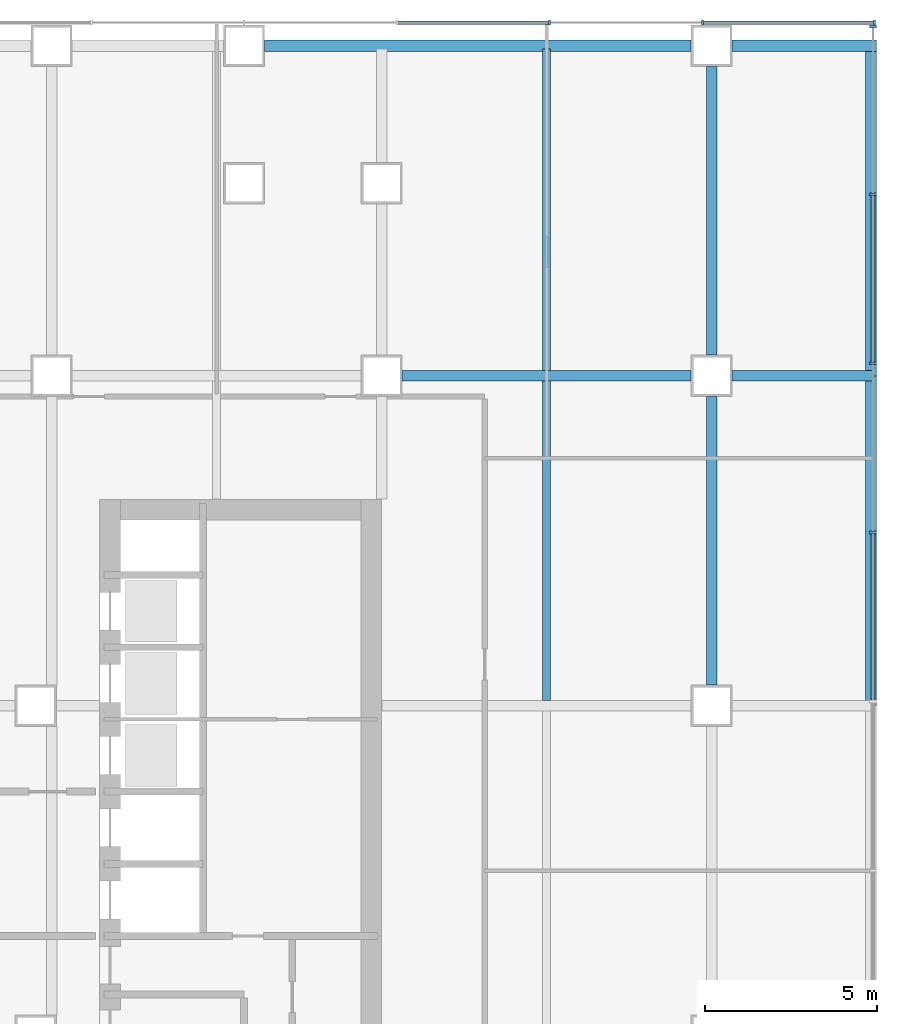
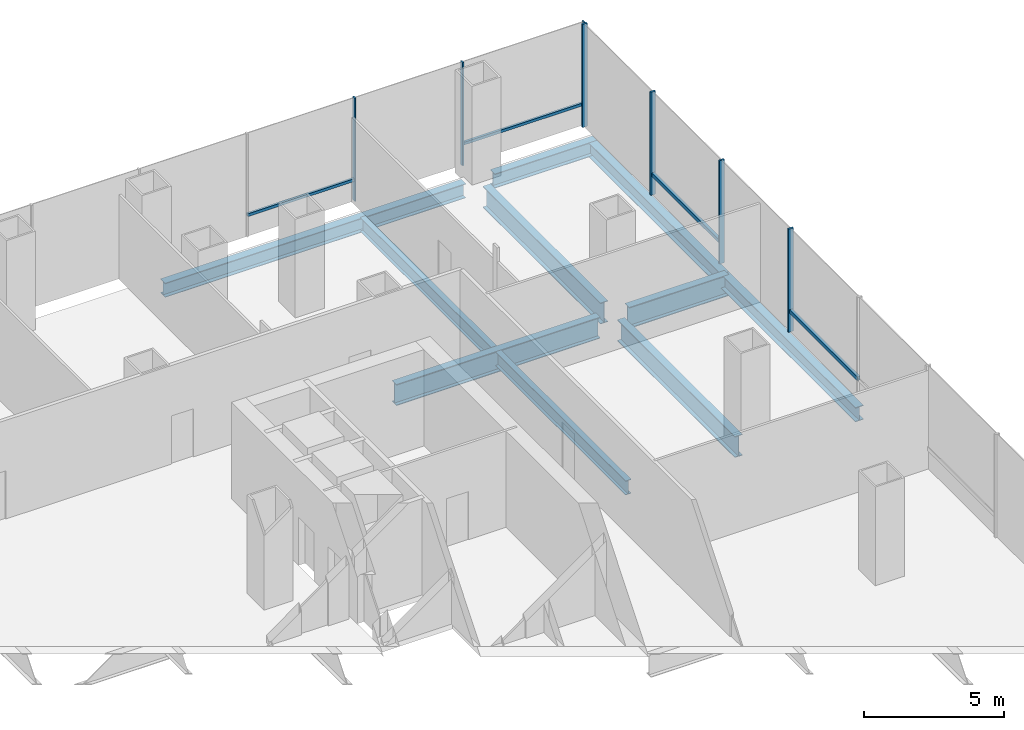
# One storey, part 13 of 23: 11 members, 10 beams, 2 elements without a shape of their own.
"""IFC4 building model written with IfcOpenShell, lengths in metres."""

import ifcopenshell
import ifcopenshell.guid

model = None  # the IFC model being written
_history = None  # IfcOwnerHistory: only IFC2X3 demands one
_inside = {}  # id of a spatial element -> (the spatial element, [elements in it])
_under = {}  # id of a project, library or spatial element -> (it, [spatial elements below it])
_declared = {}  # id of a project -> (the project, [libraries it declares])
_typed = {}  # id of a type object -> (the type object, [elements of that type])
_made_of = {}  # id of a material, layer set ... -> (it, [elements and type objects made of it])


def new_model(schema):
    """Start an empty IFC model of exactly this schema.

    Asked for "IFC4X3", IfcOpenShell would pick the latest addendum, in which some entities
    have other attributes; the version numbers below select the first issue.
    IFC2X3 requires an IfcOwnerHistory on every rooted entity: one is made here for all.
    """
    global model, _history
    if schema == "IFC4X3":
        model = ifcopenshell.file(schema_version=(4, 3, 0, 0))
    else:
        model = ifcopenshell.file(schema=schema)
    _inside.clear()
    _under.clear()
    _declared.clear()
    _typed.clear()
    _made_of.clear()
    _history = None
    if model.schema == "IFC2X3":
        org = make("IfcOrganization", Name="unknown")
        user = make(
            "IfcPersonAndOrganization",
            ThePerson=make("IfcPerson", FamilyName="unknown"),
            TheOrganization=org,
        )
        app = make(
            "IfcApplication",
            ApplicationDeveloper=org,
            Version="unknown",
            ApplicationFullName="unknown",
            ApplicationIdentifier="unknown",
        )
        _history = make(
            "IfcOwnerHistory",
            OwningUser=user,
            OwningApplication=app,
            ChangeAction="ADDED",
            CreationDate=0,
        )
    return model


def make(cls, **values):
    """One entity of the class cls with the attributes given. An attribute that is None is left unset."""
    return model.create_entity(
        cls, **{name: value for name, value in values.items() if value is not None}
    )


def rooted(cls, **values):
    """An entity with a GlobalId (a new one), such as an element, a storey or a relation."""
    return make(cls, GlobalId=ifcopenshell.guid.new(), OwnerHistory=_history, **values)


def si_unit(unit_type, name, prefix=None):
    """IfcSIUnit, for example si_unit("LENGTHUNIT", "METRE", prefix="MILLI")."""
    return make("IfcSIUnit", UnitType=unit_type, Prefix=prefix, Name=name)


def assignment(units):
    """IfcUnitAssignment: the units of a project."""
    return None if units is None else make("IfcUnitAssignment", Units=units)


def point(xyz):
    """IfcCartesianPoint."""
    return None if xyz is None else make("IfcCartesianPoint", Coordinates=xyz)


def direction(xyz):
    """IfcDirection."""
    return None if xyz is None else make("IfcDirection", DirectionRatios=xyz)


def frame(location, z_axis=None, x_axis=None):
    """IfcAxis2Placement3D, a coordinate frame: its origin and axes. An axis left out is left unset."""
    return make(
        "IfcAxis2Placement3D",
        Location=point(location),
        Axis=direction(z_axis),
        RefDirection=direction(x_axis),
    )


def frame_2d(location, x_axis=None):
    """IfcAxis2Placement2D, a coordinate frame in the plane: its origin and x axis."""
    return make(
        "IfcAxis2Placement2D", Location=point(location), RefDirection=direction(x_axis)
    )


def origin():
    """The frame at (0, 0, 0) with its axes left unset."""
    return frame((0.0, 0.0, 0.0))


def origin_2d():
    """The frame at (0, 0) in the plane with its x axis left unset."""
    return frame_2d((0.0, 0.0))


def place(relative_to, where):
    """IfcLocalPlacement: puts the frame where relative to a parent placement (None: the world)."""
    return make(
        "IfcLocalPlacement", PlacementRelTo=relative_to, RelativePlacement=where
    )


def context(
    kind, dimensions, precision=None, world=None, true_north=None, identifier=None
):
    """IfcGeometricRepresentationContext, for example the 3D "Model" context."""
    return make(
        "IfcGeometricRepresentationContext",
        ContextIdentifier=identifier,
        ContextType=kind,
        CoordinateSpaceDimension=dimensions,
        Precision=precision,
        WorldCoordinateSystem=world,
        TrueNorth=true_north,
    )


def subcontext(parent, identifier, kind, view, scale=None):
    """IfcGeometricRepresentationSubContext, for example "Body" below "Model"."""
    return make(
        "IfcGeometricRepresentationSubContext",
        ContextIdentifier=identifier,
        ContextType=kind,
        ParentContext=parent,
        TargetScale=scale,
        TargetView=view,
    )


def project(units=None, contexts=None):
    """IfcProject with its units and contexts."""
    return rooted(
        "IfcProject",
        Name="project",
        RepresentationContexts=contexts,
        UnitsInContext=assignment(units),
    )


def spatial(cls, under=None, at=None, **own):
    """A site, building, storey or space (cls), placed at a placement, below another one or the project."""
    s = rooted(cls, ObjectPlacement=at, **own)
    if under is not None:
        _under.setdefault(under.id(), (under, []))[1].append(s)
    return s


def profile(cls, at=None, kind="AREA", **sizes):
    """A parametric profile (cls). Its sizes go by their IFC names, for example OverallWidth=200.0."""
    return make(cls, ProfileType=kind, Position=at, **sizes)


def rectangle(**sizes):
    """IfcRectangleProfileDef."""
    return profile("IfcRectangleProfileDef", **sizes)


def i_section(**sizes):
    """IfcIShapeProfileDef."""
    return profile("IfcIShapeProfileDef", **sizes)


def extrude(swept, where, along, depth):
    """IfcExtrudedAreaSolid: the profile swept, set in the frame where, extruded along a direction by depth."""
    return make(
        "IfcExtrudedAreaSolid",
        SweptArea=swept,
        Position=where,
        ExtrudedDirection=direction(along),
        Depth=depth,
    )


def shape(context_of_items, identifier, shape_type, items):
    """IfcShapeRepresentation: the items that make up one representation, for example the "Body"."""
    return make(
        "IfcShapeRepresentation",
        ContextOfItems=context_of_items,
        RepresentationIdentifier=identifier,
        RepresentationType=shape_type,
        Items=items,
    )


def material(Name=None, Category=None):
    """IfcMaterial."""
    return make("IfcMaterial", Name=Name, Category=Category)


def material_profile(
    of_material, cross_section, Name=None, Category=None, Priority=None
):
    """IfcMaterialProfile: a cross section and its material."""
    return make(
        "IfcMaterialProfile",
        Name=Name,
        Material=of_material,
        Profile=cross_section,
        Priority=Priority,
        Category=Category,
    )


def profile_set(profiles, Name=None, composite=None):
    """IfcMaterialProfileSet."""
    return make(
        "IfcMaterialProfileSet",
        Name=Name,
        MaterialProfiles=profiles,
        CompositeProfile=composite,
    )


def made_of(thing, what):
    """Note that an element or type object is made of a material, layer set ...; save() writes the relation."""
    if what is not None:
        _made_of.setdefault(what.id(), (what, []))[1].append(thing)
    return thing


def type_object(cls, material=None, **own):
    """A type object (cls), such as IfcWallType, which elements share."""
    return made_of(rooted(cls, **own), material)


def element(
    cls,
    number,
    at=None,
    inside=None,
    cuts=None,
    type_object=None,
    material=None,
    context=None,
    identifier="Body",
    shape_type=None,
    held_by="IfcProductDefinitionShape",
    body=None,
    shapes=None,
    **own,
):
    """One element of the class cls, such as IfcWall. Its Tag is "e" and its number.

    at: its placement. inside: the storey or other place that contains it. cuts: it is an
    opening in that element (IfcRelVoidsElement). A single representation is given by context,
    identifier, shape_type and body (its items); several are given by shapes. held_by: the class
    of the entity that holds the representations. save() writes the other relations.
    """
    e = rooted(cls, Tag="e%d" % number, ObjectPlacement=at, **own)
    if body is not None:
        shapes = [shape(context, identifier, shape_type, body)]
    if shapes is not None:
        e.Representation = make(held_by, Representations=shapes)
    if inside is not None:
        _inside.setdefault(inside.id(), (inside, []))[1].append(e)
    if cuts is not None:
        rooted(
            "IfcRelVoidsElement", RelatingBuildingElement=cuts, RelatedOpeningElement=e
        )
    if type_object is not None:
        _typed.setdefault(type_object.id(), (type_object, []))[1].append(e)
    return made_of(e, material)


def aggregate(whole, parts):
    """IfcRelAggregates: a whole, such as a stair, and the parts it consists of."""
    return rooted("IfcRelAggregates", RelatingObject=whole, RelatedObjects=parts)


def save(model, path):
    """Write the relations noted so far, then the file.

    IfcRelAggregates (storeys below a building ...), IfcRelContainedInSpatialStructure (elements
    in a storey), IfcRelDefinesByType, IfcRelAssociatesMaterial and IfcRelDeclares: one each for
    every whole, place, type object, material and project.
    """
    for whole, parts in _under.values():
        aggregate(whole, parts)
    for where, things in _inside.values():
        rooted(
            "IfcRelContainedInSpatialStructure",
            RelatedElements=things,
            RelatingStructure=where,
        )
    for kind, things in _typed.values():
        rooted("IfcRelDefinesByType", RelatedObjects=things, RelatingType=kind)
    for what, things in _made_of.values():
        rooted("IfcRelAssociatesMaterial", RelatedObjects=things, RelatingMaterial=what)
    for by, libraries in _declared.values():
        rooted("IfcRelDeclares", RelatingContext=by, RelatedDefinitions=libraries)
    model.write(path)


model = new_model("IFC4")

# Units and contexts
model_context = context("Model", 3, precision=1e-05, world=origin(), true_north=direction((0.0, 1.0)))
body_context = subcontext(model_context, "Body", "Model", "MODEL_VIEW")
ifc_project = project(units=[si_unit("LENGTHUNIT", "METRE"), si_unit("AREAUNIT", "SQUARE_METRE"), si_unit("VOLUMEUNIT", "CUBIC_METRE"), si_unit("PLANEANGLEUNIT", "RADIAN"), si_unit("MASSUNIT", "GRAM", prefix="KILO")], contexts=[model_context])

# Site, building, storey
site_placement = place(None, origin())
site = spatial("IfcSite", under=ifc_project, at=site_placement, CompositionType="ELEMENT")
building_placement = place(site_placement, origin())
building = spatial("IfcBuilding", under=site, at=building_placement, Name="Cobrizo Arcos Hotel Tower", CompositionType="ELEMENT")
storey_placement = place(building_placement, frame((0.0, 0.0, 20.0)))
storey = spatial("IfcBuildingStorey", under=building, at=storey_placement, Name="L03", CompositionType="ELEMENT", Elevation=20.0)

# Curtain wall, members
ifc_material_1 = material(Name="Aluminium 6063-T6 anodised bronze", Category="aluminium")
curtain_wall_type_1 = type_object("IfcCurtainWallType", Name="CW-A guest facade", PredefinedType="NOTDEFINED", material=ifc_material_1)
curtain_wall_1_placement = place(storey_placement, origin())
curtain_wall_1 = element("IfcCurtainWall", 1, at=curtain_wall_1_placement, inside=storey, type_object=curtain_wall_type_1, Name="CW-A L03 N face", PredefinedType="NOTDEFINED")
ifc_material_profile_1 = material_profile(ifc_material_1, rectangle(XDim=0.14990234375, YDim=0.06005859375, at=origin_2d()), Name="CW-A mullion 150x60")
ifc_profile_set_1 = profile_set([ifc_material_profile_1], Name="Aluminium 6063-T6 anodised bronze")
member_type_1 = type_object("IfcMemberType", Name="CW-A mullion 150x60", PredefinedType="MULLION", material=ifc_profile_set_1)
member_1_placement = place(storey_placement, frame((38.344970703125, 24.675048828125, 0.0), z_axis=(0.0, 0.0, 1.0), x_axis=(0.0, 1.0, 0.0)))
member_1 = element("IfcMember", 2, at=member_1_placement, type_object=member_type_1, Name="CW-A mullion 1", PredefinedType="MULLION", context=body_context, shape_type="SweptSolid", body=[
    extrude(rectangle(XDim=0.14990234375, YDim=0.06005859375, at=origin_2d()), origin(), (0.0, 0.0, 1.0), 4.5),
])
member_2_placement = place(storey_placement, frame((33.333251953125, 24.675048828125, 0.0), z_axis=(0.0, 0.0, 1.0), x_axis=(0.0, 1.0, 0.0)))
member_2 = element("IfcMember", 3, at=member_2_placement, type_object=member_type_1, Name="CW-A mullion 2", PredefinedType="MULLION", context=body_context, shape_type="SweptSolid", body=[
    extrude(rectangle(XDim=0.14990234375, YDim=0.06005859375, at=origin_2d()), origin(), (0.0, 0.0, 1.0), 4.5),
])
member_3_placement = place(storey_placement, frame((28.888916015625, 24.675048828125, 0.0), z_axis=(0.0, 0.0, 1.0), x_axis=(0.0, 1.0, 0.0)))
member_3 = element("IfcMember", 4, at=member_3_placement, type_object=member_type_1, Name="CW-A mullion 3", PredefinedType="MULLION", context=body_context, shape_type="SweptSolid", body=[
    extrude(rectangle(XDim=0.14990234375, YDim=0.06005859375, at=origin_2d()), origin(), (0.0, 0.0, 1.0), 4.5),
])
ifc_material_profile_2 = material_profile(ifc_material_1, rectangle(XDim=0.10009765625, YDim=0.1201171875, at=origin_2d()), Name="CW-A transom 120x100")
ifc_profile_set_2 = profile_set([ifc_material_profile_2], Name="Aluminium 6063-T6 anodised bronze")
member_type_2 = type_object("IfcMemberType", Name="CW-A transom 120x100", PredefinedType="USERDEFINED", material=ifc_profile_set_2)
member_4_placement = place(storey_placement, frame((38.31494140625, 24.675048828125, 0.929931640625), z_axis=(-1.0, 0.0, 0.0), x_axis=(0.0, -1.0, 0.0)))
member_4 = element("IfcMember", 5, at=member_4_placement, type_object=member_type_2, Name="CW-A transom 171", ObjectType="TRANSOM", PredefinedType="USERDEFINED", context=body_context, shape_type="SweptSolid", body=[
    extrude(rectangle(XDim=0.10009765625, YDim=0.1201171875, at=origin_2d()), origin(), (0.0, 0.0, 1.0), 4.95166015625),
])
member_5_placement = place(storey_placement, frame((28.85888671875, 24.675048828125, 0.929931640625), z_axis=(-1.0, 0.0, 0.0), x_axis=(0.0, -1.0, 0.0)))
member_5 = element("IfcMember", 6, at=member_5_placement, type_object=member_type_2, Name="CW-A transom 173", ObjectType="TRANSOM", PredefinedType="USERDEFINED", context=body_context, shape_type="SweptSolid", body=[
    extrude(rectangle(XDim=0.10009765625, YDim=0.1201171875, at=origin_2d()), origin(), (0.0, 0.0, 1.0), 4.384521484375),
])
aggregate(curtain_wall_1, [member_1, member_2, member_3, member_4, member_5])

curtain_wall_type_2 = type_object("IfcCurtainWallType", Name="CW-B podium glazing", PredefinedType="NOTDEFINED", material=ifc_material_1)
curtain_wall_2_placement = place(storey_placement, origin())
curtain_wall_2 = element("IfcCurtainWall", 7, at=curtain_wall_2_placement, inside=storey, type_object=curtain_wall_type_2, Name="CW-B L03 E face", PredefinedType="NOTDEFINED")
ifc_material_profile_3 = material_profile(ifc_material_1, rectangle(XDim=0.199951171875, YDim=0.080078125, at=origin_2d()), Name="CW-B mullion 200x80")
ifc_profile_set_3 = profile_set([ifc_material_profile_3], Name="Aluminium 6063-T6 anodised bronze")
member_type_3 = type_object("IfcMemberType", Name="CW-B mullion 200x80", PredefinedType="MULLION", material=ifc_profile_set_3)
member_6_placement = place(storey_placement, frame((38.300048828125, 9.840087890625, 0.0), z_axis=(0.0, 0.0, 1.0), x_axis=(1.0, 0.0, 0.0)))
member_6 = element("IfcMember", 8, at=member_6_placement, type_object=member_type_3, Name="CW-B mullion 8", PredefinedType="MULLION", context=body_context, shape_type="SweptSolid", body=[
    extrude(rectangle(XDim=0.199951171875, YDim=0.080078125, at=origin_2d()), origin(), (0.0, 0.0, 1.0), 4.5),
])
member_7_placement = place(storey_placement, frame((38.300048828125, 14.760009765625, 0.0), z_axis=(0.0, 0.0, 1.0), x_axis=(1.0, 0.0, 0.0)))
member_7 = element("IfcMember", 9, at=member_7_placement, type_object=member_type_3, Name="CW-B mullion 9", PredefinedType="MULLION", context=body_context, shape_type="SweptSolid", body=[
    extrude(rectangle(XDim=0.199951171875, YDim=0.080078125, at=origin_2d()), origin(), (0.0, 0.0, 1.0), 4.5),
])
member_8_placement = place(storey_placement, frame((38.300048828125, 19.679931640625, 0.0), z_axis=(0.0, 0.0, 1.0), x_axis=(1.0, 0.0, 0.0)))
member_8 = element("IfcMember", 10, at=member_8_placement, type_object=member_type_3, Name="CW-B mullion 10", PredefinedType="MULLION", context=body_context, shape_type="SweptSolid", body=[
    extrude(rectangle(XDim=0.199951171875, YDim=0.080078125, at=origin_2d()), origin(), (0.0, 0.0, 1.0), 4.5),
])
member_9_placement = place(storey_placement, frame((38.300048828125, 24.56005859375, 0.0), z_axis=(0.0, 0.0, 1.0), x_axis=(1.0, 0.0, 0.0)))
member_9 = element("IfcMember", 11, at=member_9_placement, type_object=member_type_3, Name="CW-B mullion 11", PredefinedType="MULLION", context=body_context, shape_type="SweptSolid", body=[
    extrude(rectangle(XDim=0.199951171875, YDim=0.080078125, at=origin_2d()), origin(), (0.0, 0.0, 1.0), 4.5),
])
ifc_material_profile_4 = material_profile(ifc_material_1, rectangle(XDim=0.1201171875, YDim=0.159912109375, at=origin_2d()), Name="CW-B transom 160x120")
ifc_profile_set_4 = profile_set([ifc_material_profile_4], Name="Aluminium 6063-T6 anodised bronze")
member_type_4 = type_object("IfcMemberType", Name="CW-B transom 160x120", PredefinedType="USERDEFINED", material=ifc_profile_set_4)
member_10_placement = place(storey_placement, frame((38.300048828125, 4.9599609375, 0.89990234375), z_axis=(0.0, 1.0, 0.0), x_axis=(-1.0, 0.0, 0.0)))
member_10 = element("IfcMember", 12, at=member_10_placement, type_object=member_type_4, Name="CW-B transom 167", ObjectType="TRANSOM", PredefinedType="USERDEFINED", context=body_context, shape_type="SweptSolid", body=[
    extrude(rectangle(XDim=0.1201171875, YDim=0.159912109375, at=origin_2d()), origin(), (0.0, 0.0, 1.0), 4.840087890625),
])
member_11_placement = place(storey_placement, frame((38.300048828125, 14.800048828125, 0.89990234375), z_axis=(0.0, 1.0, 0.0), x_axis=(-1.0, 0.0, 0.0)))
member_11 = element("IfcMember", 13, at=member_11_placement, type_object=member_type_4, Name="CW-B transom 169", ObjectType="TRANSOM", PredefinedType="USERDEFINED", context=body_context, shape_type="SweptSolid", body=[
    extrude(rectangle(XDim=0.1201171875, YDim=0.159912109375, at=origin_2d()), origin(), (0.0, 0.0, 1.0), 4.83984375),
])
aggregate(curtain_wall_2, [member_6, member_7, member_8, member_9, member_10, member_11])

# Beams
ifc_material_2 = material(Name="Steel ASTM A992 Grade 50", Category="steel")
ifc_material_profile_5 = material_profile(ifc_material_2, i_section(OverallWidth=0.32763671875, OverallDepth=0.622314453125, WebThickness=0.015380859375, FlangeThickness=0.0244140625, at=origin_2d()), Name="W24X131")
ifc_profile_set_5 = profile_set([ifc_material_profile_5], Name="Steel ASTM A992 Grade 50")
beam_type_1 = type_object("IfcBeamType", Name="W24X131 edge beam", PredefinedType="BEAM", material=ifc_profile_set_5)
beam_1_placement = place(storey_placement, frame((38.236083984375, 4.800048828125, -0.51123046875), z_axis=(0.0, 1.0, 0.0), x_axis=(-1.0, 0.0, 0.0)))
element("IfcBeam", 14, at=beam_1_placement, inside=storey, type_object=beam_type_1, Name="Edge beam EB1, L03, no. 004", PredefinedType="BEAM", context=body_context, shape_type="SweptSolid", body=[
    extrude(i_section(OverallWidth=0.32763671875, OverallDepth=0.622314453125, WebThickness=0.015380859375, FlangeThickness=0.0244140625, at=origin_2d()), origin(), (0.0, 0.0, 1.0), 9.599853515625),
])
beam_2_placement = place(storey_placement, frame((38.236083984375, 14.39990234375, -0.51123046875), z_axis=(0.0, 1.0, 0.0), x_axis=(-1.0, 0.0, 0.0)))
element("IfcBeam", 15, at=beam_2_placement, inside=storey, type_object=beam_type_1, Name="Edge beam EB1, L03, no. 005", PredefinedType="BEAM", context=body_context, shape_type="SweptSolid", body=[
    extrude(i_section(OverallWidth=0.32763671875, OverallDepth=0.622314453125, WebThickness=0.015380859375, FlangeThickness=0.0244140625, at=origin_2d()), origin(), (0.0, 0.0, 1.0), 9.60009765625),
])
beam_3_placement = place(storey_placement, frame((38.39990234375, 24.0, -0.51123046875), z_axis=(-1.0, 0.0, 0.0), x_axis=(0.0, -1.0, 0.0)))
element("IfcBeam", 16, at=beam_3_placement, inside=storey, type_object=beam_type_1, Name="Edge beam EB1, L03, no. 006", PredefinedType="BEAM", context=body_context, shape_type="SweptSolid", body=[
    extrude(i_section(OverallWidth=0.32763671875, OverallDepth=0.622314453125, WebThickness=0.015380859375, FlangeThickness=0.0244140625, at=origin_2d()), origin(), (0.0, 0.0, 1.0), 4.199951171875),
])
ifc_material_profile_6 = material_profile(ifc_material_2, i_section(OverallWidth=0.32763671875, OverallDepth=0.622314453125, WebThickness=0.015380859375, FlangeThickness=0.0244140625, at=origin_2d()), Name="W24X131")
ifc_profile_set_6 = profile_set([ifc_material_profile_6], Name="Steel ASTM A992 Grade 50")
beam_type_2 = type_object("IfcBeamType", Name="W24X131 spandrel", PredefinedType="SPANDREL", material=ifc_profile_set_6)
beam_4_placement = place(storey_placement, frame((33.0, 24.0, -0.51123046875), z_axis=(-1.0, 0.0, 0.0), x_axis=(0.0, -1.0, 0.0)))
element("IfcBeam", 17, at=beam_4_placement, inside=storey, type_object=beam_type_2, Name="Spandrel beam W24X131, L03, no. 001", PredefinedType="SPANDREL", context=body_context, shape_type="SweptSolid", body=[
    extrude(i_section(OverallWidth=0.32763671875, OverallDepth=0.622314453125, WebThickness=0.015380859375, FlangeThickness=0.0244140625, at=origin_2d()), origin(), (0.0, 0.0, 1.0), 12.39990234375),
])
ifc_material_profile_7 = material_profile(ifc_material_2, i_section(OverallWidth=0.23046875, OverallDepth=0.6171875, WebThickness=0.01318359375, FlangeThickness=0.022216796875, at=origin_2d()), Name="W24X94")
ifc_profile_set_7 = profile_set([ifc_material_profile_7], Name="Steel ASTM A992 Grade 50")
beam_type_3 = type_object("IfcBeamType", Name="W24X94 podium joist", PredefinedType="JOIST", material=ifc_profile_set_7)
beam_5_placement = place(storey_placement, frame((28.800048828125, 4.95361328125, -0.508544921875), z_axis=(0.0, 1.0, 0.0), x_axis=(-1.0, 0.0, 0.0)))
element("IfcBeam", 18, at=beam_5_placement, inside=storey, type_object=beam_type_3, Name="Podium joist PJ1, L03, no. 032", PredefinedType="JOIST", context=body_context, shape_type="SweptSolid", body=[
    extrude(i_section(OverallWidth=0.23046875, OverallDepth=0.6171875, WebThickness=0.01318359375, FlangeThickness=0.022216796875, at=origin_2d()), origin(), (0.0, 0.0, 1.0), 9.292724609375),
])
beam_6_placement = place(storey_placement, frame((28.800048828125, 14.5537109375, -0.508544921875), z_axis=(0.0, 1.0, 0.0), x_axis=(-1.0, 0.0, 0.0)))
element("IfcBeam", 19, at=beam_6_placement, inside=storey, type_object=beam_type_3, Name="Podium joist PJ1, L03, no. 033", PredefinedType="JOIST", context=body_context, shape_type="SweptSolid", body=[
    extrude(i_section(OverallWidth=0.23046875, OverallDepth=0.6171875, WebThickness=0.01318359375, FlangeThickness=0.022216796875, at=origin_2d()), origin(), (0.0, 0.0, 1.0), 9.356201171875),
])
ifc_material_profile_8 = material_profile(ifc_material_2, i_section(OverallWidth=0.307373046875, OverallDepth=0.927001953125, WebThickness=0.01953125, FlangeThickness=0.031982421875, at=origin_2d()), Name="W36X194")
ifc_profile_set_8 = profile_set([ifc_material_profile_8], Name="Steel ASTM A992 Grade 50")
beam_type_4 = type_object("IfcBeamType", Name="W36X194 podium girder", PredefinedType="BEAM", material=ifc_profile_set_8)
beam_7_placement = place(storey_placement, frame((24.60009765625, 14.39990234375, -0.66357421875), z_axis=(1.0, 0.0, 0.0), x_axis=(0.0, 1.0, 0.0)))
element("IfcBeam", 20, at=beam_7_placement, inside=storey, type_object=beam_type_4, Name="Podium girder PG1, L03, no. 033", PredefinedType="BEAM", context=body_context, shape_type="SweptSolid", body=[
    extrude(i_section(OverallWidth=0.307373046875, OverallDepth=0.927001953125, WebThickness=0.01953125, FlangeThickness=0.031982421875, at=origin_2d()), origin(), (0.0, 0.0, 1.0), 8.39990234375),
])
beam_8_placement = place(storey_placement, frame((34.199951171875, 14.39990234375, -0.66357421875), z_axis=(1.0, 0.0, 0.0), x_axis=(0.0, 1.0, 0.0)))
element("IfcBeam", 21, at=beam_8_placement, inside=storey, type_object=beam_type_4, Name="Podium girder PG1, L03, no. 034", PredefinedType="BEAM", context=body_context, shape_type="SweptSolid", body=[
    extrude(i_section(OverallWidth=0.307373046875, OverallDepth=0.927001953125, WebThickness=0.01953125, FlangeThickness=0.031982421875, at=origin_2d()), origin(), (0.0, 0.0, 1.0), 4.110107421875),
])
beam_9_placement = place(storey_placement, frame((33.60009765625, 5.39990234375, -0.66357421875), z_axis=(0.0, 1.0, 0.0), x_axis=(-1.0, 0.0, 0.0)))
element("IfcBeam", 22, at=beam_9_placement, inside=storey, type_object=beam_type_4, Name="Podium girder PG1, L03, no. 075", PredefinedType="BEAM", context=body_context, shape_type="SweptSolid", body=[
    extrude(i_section(OverallWidth=0.307373046875, OverallDepth=0.927001953125, WebThickness=0.01953125, FlangeThickness=0.031982421875, at=origin_2d()), origin(), (0.0, 0.0, 1.0), 8.400146484375),
])
beam_10_placement = place(storey_placement, frame((33.60009765625, 15.0, -0.66357421875), z_axis=(0.0, 1.0, 0.0), x_axis=(-1.0, 0.0, 0.0)))
element("IfcBeam", 23, at=beam_10_placement, inside=storey, type_object=beam_type_4, Name="Podium girder PG1, L03, no. 076", PredefinedType="BEAM", context=body_context, shape_type="SweptSolid", body=[
    extrude(i_section(OverallWidth=0.307373046875, OverallDepth=0.927001953125, WebThickness=0.01953125, FlangeThickness=0.031982421875, at=origin_2d()), origin(), (0.0, 0.0, 1.0), 8.39990234375),
])

save(model, "model.ifc")
